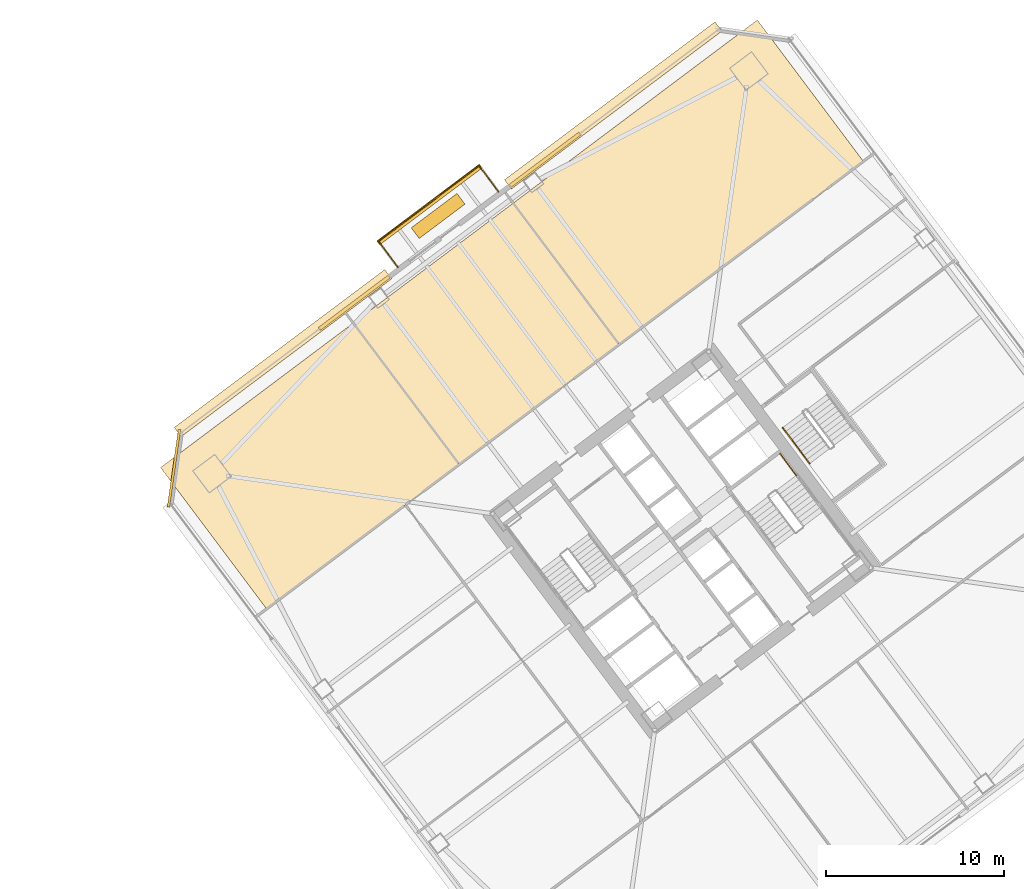
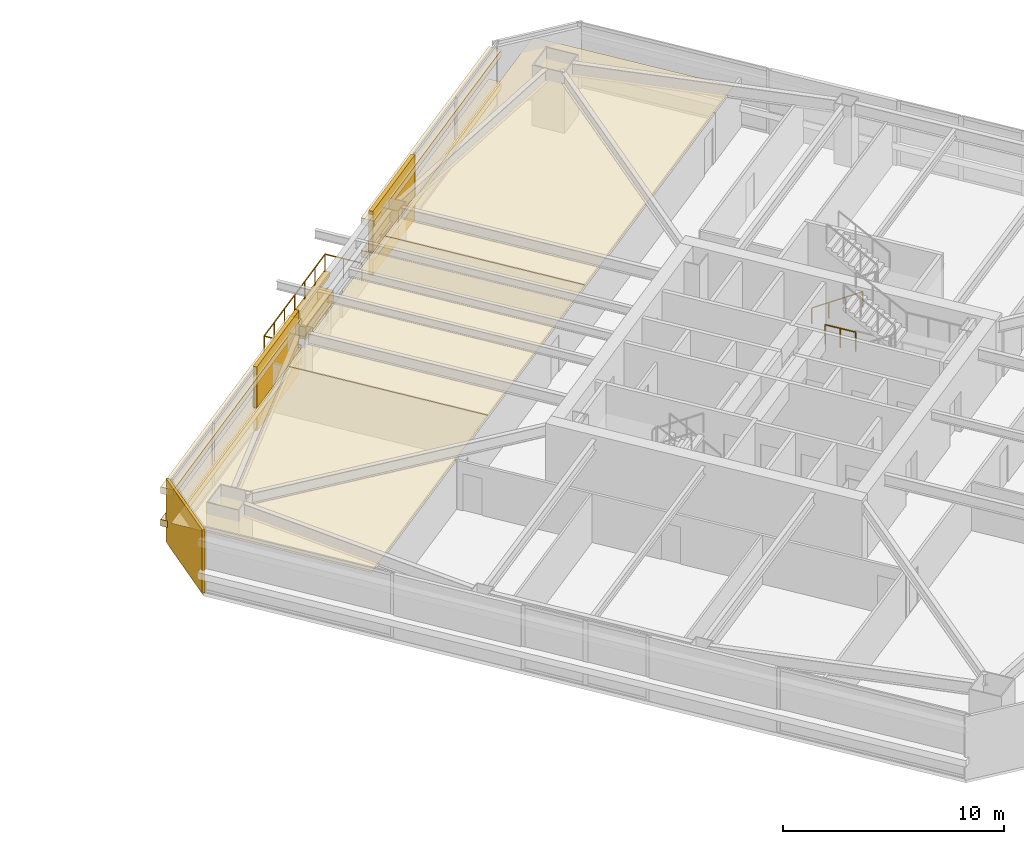
# One storey, part 44 of 45: 12 coverings, 5 railings.
"""IFC4 building model written with IfcOpenShell, lengths in metres."""

from ifc_helpers import new_model, si_unit, direction, frame, origin, origin_2d, place, context, subcontext, project, spatial, polyline, rectangle, outline, extrude, material, layer, layer_set, type_object, element, save


model = new_model("IFC4")

# Units and contexts
model_context = context("Model", 3, precision=1e-05, world=origin(), true_north=direction((0.0, 1.0)))
body_context = subcontext(model_context, "Body", "Model", "MODEL_VIEW")
ifc_project = project(units=[si_unit("LENGTHUNIT", "METRE"), si_unit("AREAUNIT", "SQUARE_METRE"), si_unit("VOLUMEUNIT", "CUBIC_METRE"), si_unit("PLANEANGLEUNIT", "RADIAN"), si_unit("MASSUNIT", "GRAM", prefix="KILO")], contexts=[model_context])

# Site, building, storey
site_placement = place(None, origin())
site = spatial("IfcSite", under=ifc_project, at=site_placement, CompositionType="ELEMENT")
building_placement = place(site_placement, origin())
building = spatial("IfcBuilding", under=site, at=building_placement, Name="Tashvorn Skyway Center", CompositionType="ELEMENT")
storey_placement = place(building_placement, frame((0.0, 0.0, 35.25)))
storey = spatial("IfcBuildingStorey", under=building, at=storey_placement, Name="L08", CompositionType="ELEMENT", Elevation=35.25)

# Coverings
ifc_material_1 = material(Name="Precast concrete C40/50", Category="concrete")
ifc_layer_1 = layer(ifc_material_1, 0.199951171875)
ifc_layer_set_1 = layer_set([ifc_layer_1], Name="Precast concrete C40/50")
covering_type_1 = type_object("IfcCoveringType", Name="COV-BRACE-CLAD", PredefinedType="CLADDING", material=ifc_layer_set_1)
for number, where, z_axis, x_axis, name in (
    (1, (95.641357421875, 45.3310546875, 0.0), (0.0, 0.0, 1.0), (0.799999996291, 0.600000004945, 0.0), "Tower 2 L08 North Curtain Wall L Mega-Brace Cladding Band 1"),
    (2, (106.342529296875, 53.35693359375, 0.0), (0.0, 0.0, 1.0), (0.799999996291, 0.600000004945, 0.0), "Tower 2 L08 North Curtain Wall R Mega-Brace Cladding Band 1"),
):
    element("IfcCovering", number, at=place(storey_placement, frame(where, z_axis=z_axis, x_axis=x_axis)), inside=storey, type_object=covering_type_1, Name=name, PredefinedType="CLADDING", context=body_context, shape_type="SweptSolid", body=[
        extrude(rectangle(XDim=4.876708984375, YDim=0.199951171875, at=origin_2d()), origin(), (0.0, 0.0, 1.0), 3.550048828125),
    ])
ifc_material_2 = material(Name="Mineral-fibre acoustic ceiling tile on suspended grid")
ifc_layer_2 = layer(ifc_material_2, 0.02001953125)
ifc_layer_set_2 = layer_set([ifc_layer_2], Name="Mineral-fibre acoustic ceiling tile on suspended grid")
covering_type_2 = type_object("IfcCoveringType", Name="COV-CEIL-20", PredefinedType="CEILING", material=ifc_layer_set_2)
covering_1_placement = place(storey_placement, frame((0.0, 0.0, 2.68310546875)))
element("IfcCovering", 3, at=covering_1_placement, inside=storey, type_object=covering_type_2, Name="Tower 2 L08 Open Plan Office Acoustic Ceiling", PredefinedType="CEILING", context=body_context, shape_type="SweptSolid", body=[
    extrude(outline(polyline([(90.739990234375, 28.179931640625), (101.5400390625, 36.280029296875), (95.60009765625, 44.199951171875), (84.800048828125, 36.10009765625), (90.739990234375, 28.179931640625)])), origin(), (0.0, 0.0, 1.0), 0.019775390625),
])
covering_2_placement = place(storey_placement, frame((0.0, 0.0, 2.68310546875)))
element("IfcCovering", 4, at=covering_2_placement, inside=storey, type_object=covering_type_2, Name="Tower 2 L08 Open Plan Office Acoustic Ceiling", PredefinedType="CEILING", context=body_context, shape_type="SweptSolid", body=[
    extrude(outline(polyline([(101.5400390625, 36.280029296875), (110.5, 43.0), (104.56005859375, 50.919921875), (95.60009765625, 44.199951171875), (101.5400390625, 36.280029296875)])), origin(), (0.0, 0.0, 1.0), 0.019775390625),
])
covering_3_placement = place(storey_placement, frame((0.0, 0.0, 2.68310546875)))
element("IfcCovering", 5, at=covering_3_placement, inside=storey, type_object=covering_type_2, Name="Tower 2 L08 Design Studio Acoustic Ceiling", PredefinedType="CEILING", context=body_context, shape_type="SweptSolid", body=[
    extrude(outline(polyline([(110.5, 43.0), (124.179931640625, 53.260009765625), (118.239990234375, 61.179931640625), (104.56005859375, 50.919921875), (110.5, 43.0)])), origin(), (0.0, 0.0, 1.0), 0.019775390625),
])
ifc_material_3 = material(Name="Perforated ceramic-coated bronze aluminium solar screen", Category="aluminium")
ifc_layer_3 = layer(ifc_material_3, 0.85009765625)
ifc_layer_set_3 = layer_set([ifc_layer_3], Name="Perforated ceramic-coated bronze aluminium solar screen")
covering_type_3 = type_object("IfcCoveringType", Name="COV-SOLAR-BAND", PredefinedType="CLADDING", material=ifc_layer_set_3)
for number, where, z_axis, x_axis, name in (
    (6, (91.656005859375, 42.51708984375, 0.919921875), (0.0, 0.0, 1.0), (0.799999996291, 0.600000004945, 0.0), "L08 Perforated Ceramic-Metal Solar Screen Louvre Band North 1"),
    (7, (91.656005859375, 42.51708984375, 2.7197265625), (0.0, 0.0, 1.0), (0.799999996291, 0.600000004945, 0.0), "L08 Perforated Ceramic-Metal Solar Screen Louvre Band North 2"),
    (8, (110.159912109375, 56.39501953125, 0.919921875), (0.0, 0.0, 1.0), (0.799999996291, 0.600000004945, 0.0), "L08 Perforated Ceramic-Metal Solar Screen Louvre Band North 1"),
    (9, (110.159912109375, 56.39501953125, 2.7197265625), (0.0, 0.0, 1.0), (0.799999996291, 0.600000004945, 0.0), "L08 Perforated Ceramic-Metal Solar Screen Louvre Band North 2"),
):
    element("IfcCovering", number, at=place(storey_placement, frame(where, z_axis=z_axis, x_axis=x_axis)), inside=storey, type_object=covering_type_3, Name=name, PredefinedType="CLADDING", context=body_context, shape_type="SweptSolid", body=[
        extrude(rectangle(XDim=14.75, YDim=0.639892578125, at=origin_2d()), origin(), (0.0, 0.0, 1.0), 0.360107421875),
    ])
ifc_layer_4 = layer(ifc_material_1, 0.35009765625)
ifc_layer_set_4 = layer_set([ifc_layer_4], Name="Precast concrete C40/50")
covering_type_4 = type_object("IfcCoveringType", Name="COV-STONE-TRIM", PredefinedType="CLADDING", material=ifc_layer_set_4)
covering_4_placement = place(storey_placement, frame((99.864013671875, 50.847900390625, -0.16015625), z_axis=(0.0, 0.0, 1.0), x_axis=(0.799999996291, 0.600000004945, 0.0)))
element("IfcCovering", 10, at=covering_4_placement, inside=storey, type_object=covering_type_4, Name="Tower 2 L08 Spiral Terrace Terracotta Fascia", PredefinedType="CLADDING", context=body_context, shape_type="SweptSolid", body=[
    extrude(rectangle(XDim=7.199951171875, YDim=0.280029296875, at=origin_2d()), origin(), (0.0, 0.0, 1.0), 0.280029296875),
])
covering_5_placement = place(storey_placement, frame((100.35009765625, 50.199951171875, 0.0), z_axis=(0.0, 0.0, 1.0), x_axis=(0.799999996291, 0.600000004945, 0.0)))
element("IfcCovering", 11, at=covering_5_placement, inside=storey, type_object=covering_type_4, Name="Tower 2 L08 Spiral Terrace Planter", PredefinedType="CLADDING", context=body_context, shape_type="SweptSolid", body=[
    extrude(rectangle(XDim=3.199951171875, YDim=0.75, at=origin_2d()), origin(), (0.0, 0.0, 1.0), 0.679931640625),
])
covering_6_placement = place(storey_placement, frame((85.552001953125, 36.06396484375, 0.02001953125), z_axis=(0.0, 0.0, 1.0), x_axis=(-0.141421350118, -0.989949494535, 0.0)))
element("IfcCovering", 12, at=covering_6_placement, inside=storey, type_object=covering_type_4, Name="Tower 2 L08 NW Mojave Limestone Corner Quoin", PredefinedType="CLADDING", context=body_context, shape_type="SweptSolid", body=[
    extrude(rectangle(XDim=4.402587890625, YDim=0.139892578125, at=origin_2d()), origin(), (0.0, 0.0, 1.0), 3.510009765625),
])

# Railings
ifc_material_4 = material(Name="Galvanized steel S355", Category="steel")
railing_type_1 = type_object("IfcRailingType", Name="RAIL-GUARD-1120", PredefinedType="GUARDRAIL", material=ifc_material_4)
railing_1_placement = place(storey_placement, frame((98.10400390625, 47.327880859375, 0.0)))
element("IfcRailing", 13, at=railing_1_placement, inside=storey, type_object=railing_type_1, Name="L08 Tower 2 Terrace Guardrail 01", PredefinedType="GUARDRAIL", context=body_context, shape_type="SweptSolid", body=[
    extrude(rectangle(XDim=0.048095703125, YDim=0.048095703125, at=origin_2d()), frame((0.0, 0.0, 1.09619140625), z_axis=(-0.6, 0.8, 0.0), x_axis=(-0.8, -0.6, 0.0)), (0.0, 0.0, 1.0), 1.820068359375),
    extrude(rectangle(XDim=0.0419921875, YDim=0.0419921875, at=origin_2d()), origin(), (0.0, 0.0, 1.0), 1.072021484375),
    extrude(rectangle(XDim=0.0419921875, YDim=0.0419921875, at=origin_2d()), frame((-0.5458984375, 0.72802734375, 0.0)), (0.0, 0.0, 1.0), 1.072021484375),
    extrude(rectangle(XDim=0.0419921875, YDim=0.0419921875, at=origin_2d()), frame((-1.092041015625, 1.4560546875, 0.0)), (0.0, 0.0, 1.0), 1.072021484375),
])
railing_2_placement = place(storey_placement, frame((97.011962890625, 48.783935546875, 0.0)))
element("IfcRailing", 14, at=railing_2_placement, inside=storey, type_object=railing_type_1, Name="L08 Tower 2 Terrace Guardrail 02", PredefinedType="GUARDRAIL", context=body_context, shape_type="SweptSolid", body=[
    extrude(rectangle(XDim=0.048095703125, YDim=0.048095703125, at=origin_2d()), frame((0.0, 0.0, 1.09619140625), z_axis=(0.799995838574, 0.600005548528, 0.0), x_axis=(-0.600005548528, 0.799995838574, 0.0)), (0.0, 0.0, 1.0), 7.0400390625),
    extrude(rectangle(XDim=0.0419921875, YDim=0.0419921875, at=origin_2d()), origin(), (0.0, 0.0, 1.0), 1.072021484375),
    extrude(rectangle(XDim=0.0419921875, YDim=0.0419921875, at=origin_2d()), frame((0.938720703125, 0.7041015625, 0.0)), (0.0, 0.0, 1.0), 1.072021484375),
    extrude(rectangle(XDim=0.0419921875, YDim=0.0419921875, at=origin_2d()), frame((1.87744140625, 1.407958984375, 0.0)), (0.0, 0.0, 1.0), 1.072021484375),
    extrude(rectangle(XDim=0.0419921875, YDim=0.0419921875, at=origin_2d()), frame((2.81591796875, 2.112060546875, 0.0)), (0.0, 0.0, 1.0), 1.072021484375),
    extrude(rectangle(XDim=0.0419921875, YDim=0.0419921875, at=origin_2d()), frame((3.754638671875, 2.816162109375, 0.0)), (0.0, 0.0, 1.0), 1.072021484375),
    extrude(rectangle(XDim=0.0419921875, YDim=0.0419921875, at=origin_2d()), frame((4.693359375, 3.52001953125, 0.0)), (0.0, 0.0, 1.0), 1.072021484375),
    extrude(rectangle(XDim=0.0419921875, YDim=0.0419921875, at=origin_2d()), frame((5.632080078125, 4.22412109375, 0.0)), (0.0, 0.0, 1.0), 1.072021484375),
])
railing_3_placement = place(storey_placement, frame((102.64404296875, 53.008056640625, 0.0)))
element("IfcRailing", 15, at=railing_3_placement, inside=storey, type_object=railing_type_1, Name="L08 Tower 2 Terrace Guardrail 03", PredefinedType="GUARDRAIL", context=body_context, shape_type="SweptSolid", body=[
    extrude(rectangle(XDim=0.048095703125, YDim=0.048095703125, at=origin_2d()), frame((0.0, 0.0, 1.09619140625), z_axis=(0.6, -0.8, 0.0), x_axis=(0.8, 0.6, 0.0)), (0.0, 0.0, 1.0), 1.820068359375),
    extrude(rectangle(XDim=0.0419921875, YDim=0.0419921875, at=origin_2d()), origin(), (0.0, 0.0, 1.0), 1.072021484375),
    extrude(rectangle(XDim=0.0419921875, YDim=0.0419921875, at=origin_2d()), frame((0.5458984375, -0.72802734375, 0.0)), (0.0, 0.0, 1.0), 1.072021484375),
    extrude(rectangle(XDim=0.0419921875, YDim=0.0419921875, at=origin_2d()), frame((1.092041015625, -1.4560546875, 0.0)), (0.0, 0.0, 1.0), 1.072021484375),
])
ifc_material_5 = material(Name="Brushed stainless steel 316", Category="steel")
railing_type_2 = type_object("IfcRailingType", Name="RAIL-HAND-920", PredefinedType="HANDRAIL", material=ifc_material_5)
railing_4_placement = place(storey_placement, frame((119.656005859375, 38.342041015625, 0.177490234375)))
element("IfcRailing", 16, at=railing_4_placement, inside=storey, type_object=railing_type_2, Name="L08 ST-T2-3 stair handrail 1", PredefinedType="HANDRAIL", context=body_context, shape_type="SweptSolid", body=[
    extrude(rectangle(XDim=0.048095703125, YDim=0.048095703125, at=origin_2d()), frame((0.0, 0.0, 0.8759765625), z_axis=(0.506740800098, -0.675708949977, 0.535379469569), x_axis=(0.800023250257, 0.599968998406, 0.0)), (0.0, 0.0, 1.0), 2.983642578125),
    extrude(rectangle(XDim=0.0419921875, YDim=0.0419921875, at=origin_2d()), origin(), (0.0, 0.0, 1.0), 0.851806640625),
    extrude(rectangle(XDim=0.0419921875, YDim=0.0419921875, at=origin_2d()), frame((0.50390625, -0.672119140625, 0.532470703125)), (0.0, 0.0, 1.0), 0.851806640625),
    extrude(rectangle(XDim=0.0419921875, YDim=0.0419921875, at=origin_2d()), frame((1.008056640625, -1.343994140625, 1.06494140625)), (0.0, 0.0, 1.0), 0.851806640625),
    extrude(rectangle(XDim=0.0419921875, YDim=0.0419921875, at=origin_2d()), frame((1.511962890625, -2.01611328125, 1.597412109375)), (0.0, 0.0, 1.0), 0.851806640625),
])
ifc_material_6 = material(Name="Painted galvanized steel S355", Category="steel")
railing_type_3 = type_object("IfcRailingType", Name="RAIL-STGUARD-1100", PredefinedType="GUARDRAIL", material=ifc_material_6)
railing_5_placement = place(storey_placement, frame((119.50390625, 36.8779296875, 0.0)))
element("IfcRailing", 17, at=railing_5_placement, inside=storey, type_object=railing_type_3, Name="L08 ST-T2-2 stair guard 6", PredefinedType="GUARDRAIL", context=body_context, shape_type="SweptSolid", body=[
    extrude(rectangle(XDim=0.048095703125, YDim=0.048095703125, at=origin_2d()), frame((0.0, 0.0, 1.076171875), z_axis=(0.600102796382, -0.799922892393, 0.0), x_axis=(0.799922892393, 0.600102796382, 0.0)), (0.0, 0.0, 1.0), 1.52001953125),
    extrude(rectangle(XDim=0.0419921875, YDim=0.0419921875, at=origin_2d()), origin(), (0.0, 0.0, 1.0), 1.052001953125),
    extrude(rectangle(XDim=0.0419921875, YDim=0.0419921875, at=origin_2d()), frame((0.4560546875, -0.60791015625, 0.0)), (0.0, 0.0, 1.0), 1.052001953125),
    extrude(rectangle(XDim=0.0419921875, YDim=0.0419921875, at=origin_2d()), frame((0.912109375, -1.2158203125, 0.0)), (0.0, 0.0, 1.0), 1.052001953125),
])

save(model, "model.ifc")
